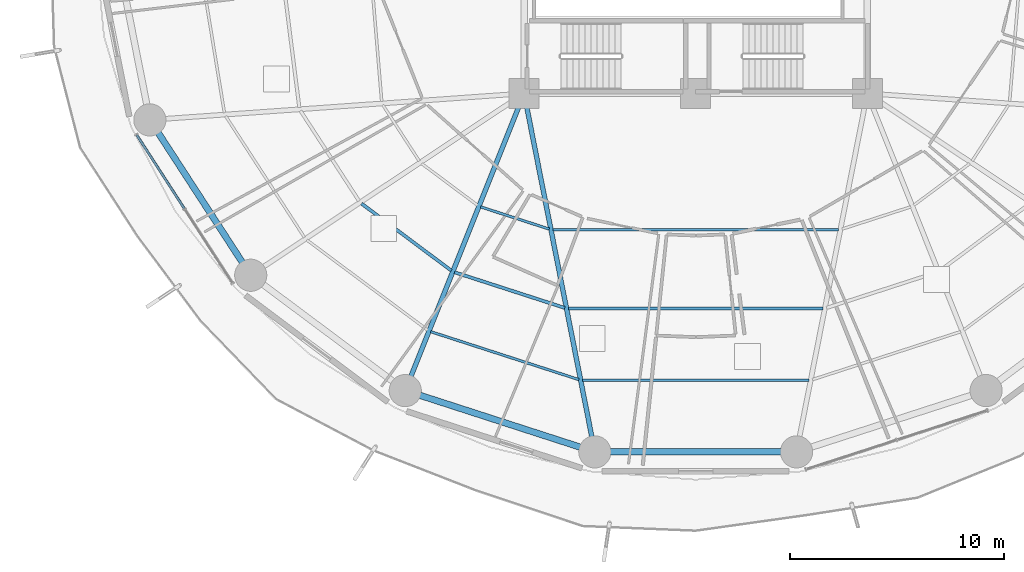
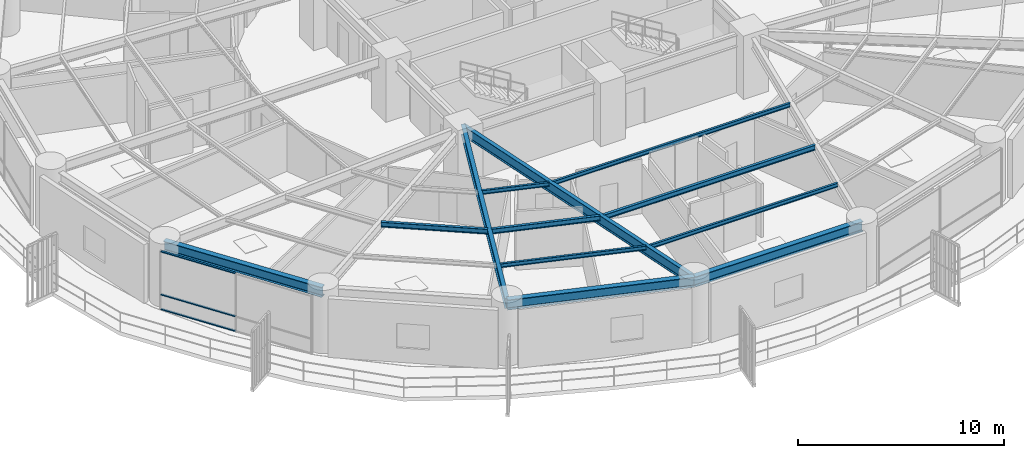
# One storey, part 3 of 33: 12 beams, 3 members, 1 element without a shape of its own.
"""IFC4 building model written with IfcOpenShell, lengths in metres."""

from ifc_helpers import new_model, si_unit, direction, frame, origin, origin_2d, place, context, subcontext, project, spatial, hollow_rectangle, i_section, extrude, material, layer, layer_set, material_profile, profile_set, type_object, element, aggregate, save


model = new_model("IFC4")

# Units and contexts
model_context = context("Model", 3, precision=1e-05, world=origin(), true_north=direction((0.0, 1.0)))
body_context = subcontext(model_context, "Body", "Model", "MODEL_VIEW")
ifc_project = project(units=[si_unit("LENGTHUNIT", "METRE"), si_unit("AREAUNIT", "SQUARE_METRE"), si_unit("VOLUMEUNIT", "CUBIC_METRE"), si_unit("PLANEANGLEUNIT", "RADIAN"), si_unit("MASSUNIT", "GRAM", prefix="KILO")], contexts=[model_context])

# Site, building, storey
site_placement = place(None, origin())
site = spatial("IfcSite", under=ifc_project, at=site_placement, CompositionType="ELEMENT")
building_placement = place(site_placement, origin())
building = spatial("IfcBuilding", under=site, at=building_placement, Name="Kelanora Arch Commons", CompositionType="ELEMENT")
storey_placement = place(building_placement, frame((0.0, 0.0, 45.0)))
storey = spatial("IfcBuildingStorey", under=building, at=storey_placement, Name="L11", CompositionType="ELEMENT", Elevation=45.0)

# Beams
ifc_material_1 = material(Name="Steel S355", Category="steel")
ifc_material_profile_1 = material_profile(ifc_material_1, i_section(OverallWidth=0.14990234375, OverallDepth=0.300048828125, WebThickness=0.007080078125, FlangeThickness=0.0107421875, FilletRadius=0.014892578125, at=origin_2d()), Name="IPE300")
ifc_profile_set_1 = profile_set([ifc_material_profile_1], Name="Steel S355")
beam_type_1 = type_object("IfcBeamType", Name="BM-JST-01", PredefinedType="JOIST", material=ifc_profile_set_1)
beam_1_placement = place(storey_placement, frame((58.42138671875, 45.8623046875, 3.340087890625), z_axis=(0.801478251559, -0.598023922831, 0.0), x_axis=(0.598023922831, 0.801478251559, 0.0)))
element("IfcBeam", 1, at=beam_1_placement, inside=storey, type_object=beam_type_1, Name="Secondary Chord Joist BJB-22 L11", PredefinedType="JOIST", context=body_context, shape_type="SweptSolid", body=[
    extrude(i_section(OverallWidth=0.14990234375, OverallDepth=0.300048828125, WebThickness=0.007080078125, FlangeThickness=0.0107421875, FilletRadius=0.014892578125, at=origin_2d()), origin(), (0.0, 0.0, 1.0), 5.223388671875),
])
beam_2_placement = place(storey_placement, frame((62.7568359375, 42.66162109375, 3.340087890625), z_axis=(0.951412209627, -0.307920131482, 0.0), x_axis=(0.307920131482, 0.951412209627, 0.0)))
element("IfcBeam", 2, at=beam_2_placement, inside=storey, type_object=beam_type_1, Name="Secondary Chord Joist BJB-24 L11", PredefinedType="JOIST", context=body_context, shape_type="SweptSolid", body=[
    extrude(i_section(OverallWidth=0.14990234375, OverallDepth=0.300048828125, WebThickness=0.007080078125, FlangeThickness=0.0107421875, FilletRadius=0.014892578125, at=origin_2d()), origin(), (0.0, 0.0, 1.0), 5.4033203125),
])
beam_3_placement = place(storey_placement, frame((68.063720703125, 40.971435546875, 3.340087890625), z_axis=(1.0, 0.0, 0.0), x_axis=(0.0, 1.0, 0.0)))
element("IfcBeam", 3, at=beam_3_placement, inside=storey, type_object=beam_type_1, Name="Secondary Chord Joist BJB-26 L11", PredefinedType="JOIST", context=body_context, shape_type="SweptSolid", body=[
    extrude(i_section(OverallWidth=0.14990234375, OverallDepth=0.300048828125, WebThickness=0.007080078125, FlangeThickness=0.0107421875, FilletRadius=0.014892578125, at=origin_2d()), origin(), (0.0, 0.0, 1.0), 11.87255859375),
])
ifc_material_profile_2 = material_profile(ifc_material_1, i_section(OverallWidth=0.1201171875, OverallDepth=0.239990234375, WebThickness=0.006103515625, FlangeThickness=0.009765625, FilletRadius=0.014892578125, at=origin_2d()), Name="IPE240")
ifc_profile_set_2 = profile_set([ifc_material_profile_2], Name="Steel S355")
beam_type_2 = type_object("IfcBeamType", Name="BM-JST-02", PredefinedType="JOIST", material=ifc_profile_set_2)
beam_4_placement = place(storey_placement, frame((63.9755859375, 45.709228515625, 3.3701171875), z_axis=(0.951422608074, -0.30788800049, 0.0), x_axis=(0.30788800049, 0.951422608074, 0.0)))
element("IfcBeam", 4, at=beam_4_placement, inside=storey, type_object=beam_type_2, Name="Secondary Chord Joist BJA-24 L11", PredefinedType="JOIST", context=body_context, shape_type="SweptSolid", body=[
    extrude(i_section(OverallWidth=0.1201171875, OverallDepth=0.239990234375, WebThickness=0.006103515625, FlangeThickness=0.009765625, FilletRadius=0.014892578125, at=origin_2d()), origin(), (0.0, 0.0, 1.0), 3.359619140625),
])
beam_5_placement = place(storey_placement, frame((61.64892578125, 39.890625, 3.3701171875), z_axis=(0.951410915705, -0.307924129418, 0.0), x_axis=(0.307924129418, 0.951410915705, 0.0)))
element("IfcBeam", 5, at=beam_5_placement, inside=storey, type_object=beam_type_2, Name="Secondary Chord Joist BJC-24 L11", PredefinedType="JOIST", context=body_context, shape_type="SweptSolid", body=[
    extrude(i_section(OverallWidth=0.1201171875, OverallDepth=0.239990234375, WebThickness=0.006103515625, FlangeThickness=0.009765625, FilletRadius=0.014892578125, at=origin_2d()), origin(), (0.0, 0.0, 1.0), 7.260986328125),
])
beam_6_placement = place(storey_placement, frame((67.338134765625, 44.648681640625, 3.3701171875), z_axis=(1.0, 0.0, 0.0), x_axis=(0.0, 1.0, 0.0)))
element("IfcBeam", 6, at=beam_6_placement, inside=storey, type_object=beam_type_2, Name="Secondary Chord Joist BJA-26 L11", PredefinedType="JOIST", context=body_context, shape_type="SweptSolid", body=[
    extrude(i_section(OverallWidth=0.1201171875, OverallDepth=0.239990234375, WebThickness=0.006103515625, FlangeThickness=0.009765625, FilletRadius=0.014892578125, at=origin_2d()), origin(), (0.0, 0.0, 1.0), 13.32373046875),
])
beam_7_placement = place(storey_placement, frame((68.72314453125, 37.628662109375, 3.3701171875), z_axis=(1.0, 0.0, 0.0), x_axis=(0.0, 1.0, 0.0)))
element("IfcBeam", 7, at=beam_7_placement, inside=storey, type_object=beam_type_2, Name="Secondary Chord Joist BJC-26 L11", PredefinedType="JOIST", context=body_context, shape_type="SweptSolid", body=[
    extrude(i_section(OverallWidth=0.1201171875, OverallDepth=0.239990234375, WebThickness=0.006103515625, FlangeThickness=0.009765625, FilletRadius=0.014892578125, at=origin_2d()), origin(), (0.0, 0.0, 1.0), 10.5537109375),
])
ifc_material_profile_3 = material_profile(ifc_material_1, i_section(OverallWidth=0.219970703125, OverallDepth=0.60009765625, WebThickness=0.011962890625, FlangeThickness=0.01904296875, FilletRadius=0.02392578125, at=origin_2d()), Name="IPE600")
ifc_profile_set_3 = profile_set([ifc_material_profile_3], Name="Steel S355")
beam_type_3 = type_object("IfcBeamType", Name="BM-RAD-Z1", PredefinedType="BEAM", material=ifc_profile_set_3)
beam_8_placement = place(storey_placement, frame((66.0, 51.0, 3.18994140625), z_axis=(-0.371300398117, -0.928512797089, 0.0), x_axis=(0.928512797089, -0.371300398117, 0.0)))
element("IfcBeam", 8, at=beam_8_placement, inside=storey, type_object=beam_type_3, Name="Radial Floor Girder BR-24 L11", PredefinedType="BEAM", context=body_context, shape_type="SweptSolid", body=[
    extrude(i_section(OverallWidth=0.219970703125, OverallDepth=0.60009765625, WebThickness=0.011962890625, FlangeThickness=0.01904296875, FilletRadius=0.02392578125, at=origin_2d()), origin(), (0.0, 0.0, 1.0), 14.920654296875),
])
beam_9_placement = place(storey_placement, frame((66.0, 51.0, 3.18994140625), z_axis=(0.19356352044, -0.981087745084, 0.0), x_axis=(0.981087745084, 0.19356352044, 0.0)))
element("IfcBeam", 9, at=beam_9_placement, inside=storey, type_object=beam_type_3, Name="Radial Floor Girder BR-26 L11", PredefinedType="BEAM", context=body_context, shape_type="SweptSolid", body=[
    extrude(i_section(OverallWidth=0.219970703125, OverallDepth=0.60009765625, WebThickness=0.011962890625, FlangeThickness=0.01904296875, FilletRadius=0.02392578125, at=origin_2d()), origin(), (0.0, 0.0, 1.0), 17.036376953125),
])
ifc_material_profile_4 = material_profile(ifc_material_1, i_section(OverallWidth=0.300048828125, OverallDepth=0.60009765625, WebThickness=0.015380859375, FlangeThickness=0.030029296875, FilletRadius=0.027099609375, at=origin_2d()), Name="HEB600")
ifc_profile_set_4 = profile_set([ifc_material_profile_4], Name="Steel S355")
beam_type_4 = type_object("IfcBeamType", Name="BM-SPN-Z1", PredefinedType="SPANDREL", material=ifc_profile_set_4)
beam_10_placement = place(storey_placement, frame((48.552978515625, 49.76416015625, 3.18994140625), z_axis=(0.544585813928, -0.838705127722, 0.0), x_axis=(0.838705127722, 0.544585813928, 0.0)))
element("IfcBeam", 10, at=beam_10_placement, inside=storey, type_object=beam_type_4, Name="Perimeter Spandrel Beam BS-20 L11", PredefinedType="SPANDREL", context=body_context, shape_type="SweptSolid", body=[
    extrude(i_section(OverallWidth=0.300048828125, OverallDepth=0.60009765625, WebThickness=0.015380859375, FlangeThickness=0.030029296875, FilletRadius=0.027099609375, at=origin_2d()), origin(), (0.0, 0.0, 1.0), 8.63525390625),
])
beam_11_placement = place(storey_placement, frame((60.4599609375, 37.14599609375, 3.18994140625), z_axis=(0.951417120402, -0.307904957748, 0.0), x_axis=(0.307904957748, 0.951417120402, 0.0)))
element("IfcBeam", 11, at=beam_11_placement, inside=storey, type_object=beam_type_4, Name="Perimeter Spandrel Beam BS-24 L11", PredefinedType="SPANDREL", context=body_context, shape_type="SweptSolid", body=[
    extrude(i_section(OverallWidth=0.300048828125, OverallDepth=0.60009765625, WebThickness=0.015380859375, FlangeThickness=0.030029296875, FilletRadius=0.027099609375, at=origin_2d()), origin(), (0.0, 0.0, 1.0), 9.288818359375),
])
beam_12_placement = place(storey_placement, frame((69.297607421875, 34.285888671875, 3.18994140625), z_axis=(1.0, 0.0, 0.0), x_axis=(0.0, 1.0, 0.0)))
element("IfcBeam", 12, at=beam_12_placement, inside=storey, type_object=beam_type_4, Name="Perimeter Spandrel Beam BS-26 L11", PredefinedType="SPANDREL", context=body_context, shape_type="SweptSolid", body=[
    extrude(i_section(OverallWidth=0.300048828125, OverallDepth=0.60009765625, WebThickness=0.015380859375, FlangeThickness=0.030029296875, FilletRadius=0.027099609375, at=origin_2d()), origin(), (0.0, 0.0, 1.0), 9.40478515625),
])

# Curtain wall, members
ifc_material_2 = material(Name="Terracotta ceramic-fritted low-E glass and aluminium", Category="masonry")
ifc_layer = layer(ifc_material_2, 0.159912109375)
ifc_layer_set = layer_set([ifc_layer], Name="Terracotta ceramic-fritted low-E glass and aluminium")
curtain_wall_type = type_object("IfcCurtainWallType", Name="CW-SYS-01", PredefinedType="NOTDEFINED", material=ifc_layer_set)
curtain_wall_placement = place(storey_placement, origin())
curtain_wall = element("IfcCurtainWall", 13, at=curtain_wall_placement, inside=storey, type_object=curtain_wall_type, Name="Unitised Curtain Wall L11-B10", PredefinedType="NOTDEFINED")
ifc_material_3 = material(Name="Powder-coated aluminium terracotta", Category="masonry")
ifc_material_profile_5 = material_profile(ifc_material_3, hollow_rectangle(XDim=0.1201171875, YDim=0.06005859375, WallThickness=0.0048828125, InnerFilletRadius=0.0048828125, OuterFilletRadius=0.010009765625, at=origin_2d()), Name="CWT120x60")
ifc_profile_set_5 = profile_set([ifc_material_profile_5], Name="Powder-coated aluminium terracotta")
member_type = type_object("IfcMemberType", Name="CWT-STD", PredefinedType="USERDEFINED", material=ifc_profile_set_5)
member_1_placement = place(storey_placement, frame((47.944091796875, 49.054443359375, 0.030029296875), z_axis=(0.542997414293, -0.839734367566, 0.0), x_axis=(0.839734367566, 0.542997414293, 0.0)))
member_1 = element("IfcMember", 14, at=member_1_placement, type_object=member_type, Name="CW-01 transom 1.1", ObjectType="TRANSOM", PredefinedType="USERDEFINED", context=body_context, shape_type="SweptSolid", body=[
    extrude(hollow_rectangle(XDim=0.1201171875, YDim=0.06005859375, WallThickness=0.0048828125, InnerFilletRadius=0.0048828125, OuterFilletRadius=0.010009765625, at=origin_2d()), origin(), (0.0, 0.0, 1.0), 4.067626953125),
])
member_2_placement = place(storey_placement, frame((47.944091796875, 49.054443359375, 0.89990234375), z_axis=(0.542997414293, -0.839734367566, 0.0), x_axis=(0.839734367566, 0.542997414293, 0.0)))
member_2 = element("IfcMember", 15, at=member_2_placement, type_object=member_type, Name="CW-01 transom 1.2", ObjectType="TRANSOM", PredefinedType="USERDEFINED", context=body_context, shape_type="SweptSolid", body=[
    extrude(hollow_rectangle(XDim=0.1201171875, YDim=0.06005859375, WallThickness=0.0048828125, InnerFilletRadius=0.0048828125, OuterFilletRadius=0.010009765625, at=origin_2d()), origin(), (0.0, 0.0, 1.0), 4.067626953125),
])
member_3_placement = place(storey_placement, frame((47.944091796875, 49.054443359375, 3.445068359375), z_axis=(0.542997414293, -0.839734367566, 0.0), x_axis=(0.839734367566, 0.542997414293, 0.0)))
member_3 = element("IfcMember", 16, at=member_3_placement, type_object=member_type, Name="CW-01 transom 1.3", ObjectType="TRANSOM", PredefinedType="USERDEFINED", context=body_context, shape_type="SweptSolid", body=[
    extrude(hollow_rectangle(XDim=0.1201171875, YDim=0.06005859375, WallThickness=0.0048828125, InnerFilletRadius=0.0048828125, OuterFilletRadius=0.010009765625, at=origin_2d()), origin(), (0.0, 0.0, 1.0), 4.067626953125),
])
aggregate(curtain_wall, [member_1, member_2, member_3])

save(model, "model.ifc")
